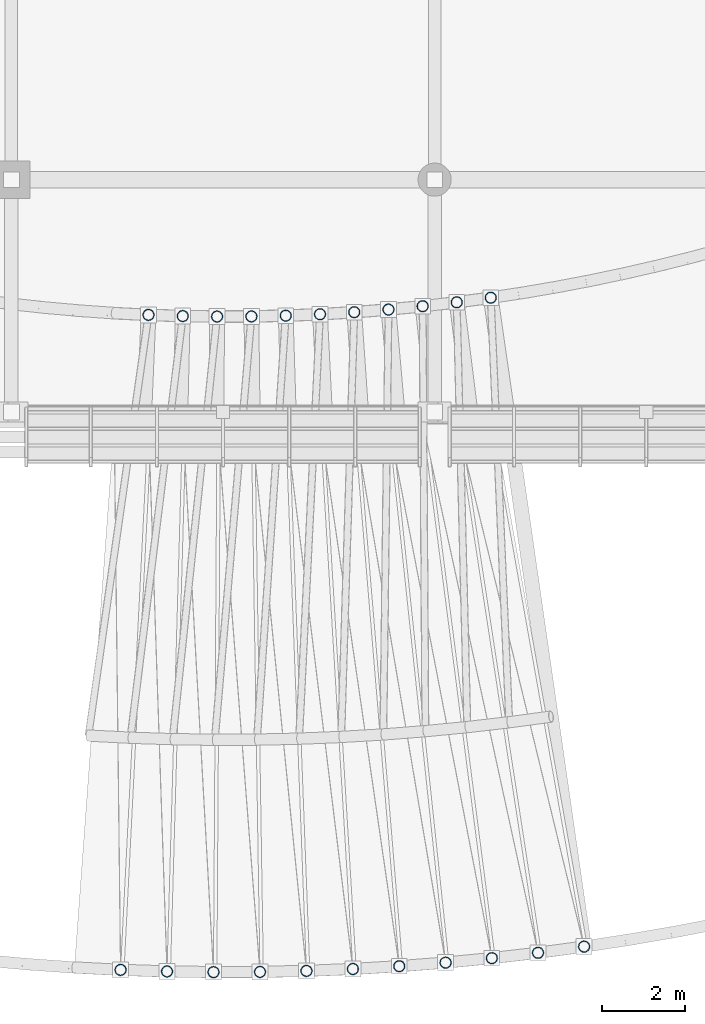
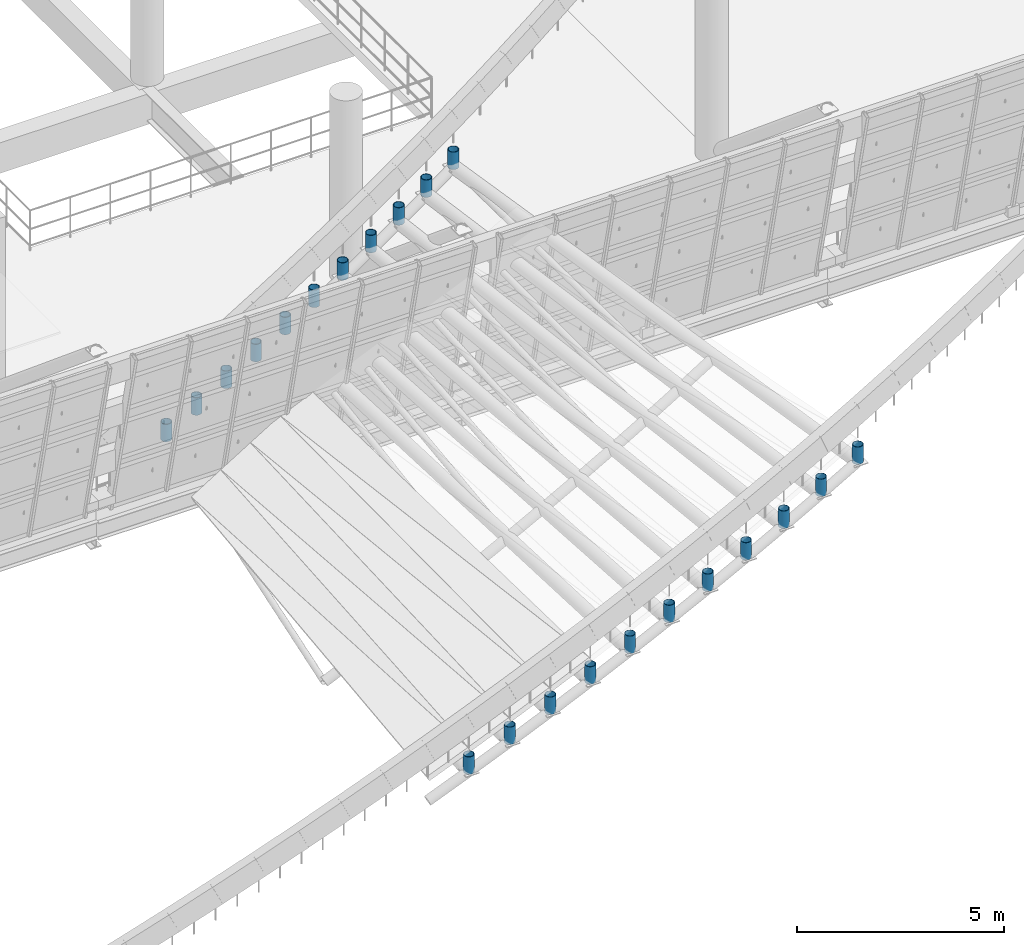
# One storey, part 101 of 175: 22 members.
"""IFC4 building model written with IfcOpenShell, lengths in metres."""

from ifc_helpers import new_model, si_unit, direction, frame, origin, origin_2d, place, context, subcontext, project, spatial, hollow_circle, extrude, material, material_profile, profile_set, type_object, element, save


model = new_model("IFC4")

# Units and contexts
model_context = context("Model", 3, precision=1e-05, world=origin(), true_north=direction((0.0, 1.0)))
body_context = subcontext(model_context, "Body", "Model", "MODEL_VIEW")
ifc_project = project(units=[si_unit("LENGTHUNIT", "METRE"), si_unit("AREAUNIT", "SQUARE_METRE"), si_unit("VOLUMEUNIT", "CUBIC_METRE"), si_unit("PLANEANGLEUNIT", "RADIAN"), si_unit("MASSUNIT", "GRAM", prefix="KILO")], contexts=[model_context])

# Site, building, storey
site_placement = place(None, origin())
site = spatial("IfcSite", under=ifc_project, at=site_placement, CompositionType="ELEMENT")
building_placement = place(site_placement, origin())
building = spatial("IfcBuilding", under=site, at=building_placement, Name="Brelvane Convention Centre", CompositionType="ELEMENT")
storey_placement = place(building_placement, frame((0.0, 0.0, 5.39990234375)))
storey = spatial("IfcBuildingStorey", under=building, at=storey_placement, Name="L01", CompositionType="ELEMENT", Elevation=5.39990234375)

# Members
ifc_material = material(Name="Steel E350 (350 MPa)", Category="steel")
ifc_material_profile = material_profile(ifc_material, hollow_circle(Radius=0.136474609375, WallThickness=0.012451171875, at=origin_2d()), Name="CHS 273.0x12.5")
ifc_profile_set = profile_set([ifc_material_profile], Name="Steel E350 (350 MPa)")
member_type = type_object("IfcMemberType", Name="Steel Strut SF-VT1 (CHS 273.0x12.5)", PredefinedType="STRUT", material=ifc_profile_set)
for number, where, z_axis, x_axis, name in (
    (1, (154.3515625, 16.3544921875, 4.439697265625), (0.0, 0.0, 1.0), (1.0, 0.0, 0.0), "Boulevard Canopy Deck Stand-off Post 13-IN"),
    (2, (156.601806640625, 0.715576171875, 4.439697265625), (0.0, 0.0, 1.0), (1.0, 0.0, 0.0), "Boulevard Canopy Deck Stand-off Post 13-OUT"),
    (3, (153.531982421875, 16.244384765625, 3.97119140625), (0.0, 0.0, 1.0), (1.0, 0.0, 0.0), "Boulevard Canopy Deck Stand-off Post 14-IN"),
    (4, (155.49169921875, 0.56640625, 3.97119140625), (0.0, 0.0, 1.0), (1.0, 0.0, 0.0), "Boulevard Canopy Deck Stand-off Post 14-OUT"),
    (5, (152.71044921875, 16.1494140625, 3.498291015625), (0.0, 0.0, 1.0), (1.0, 0.0, 0.0), "Boulevard Canopy Deck Stand-off Post 15-IN"),
    (6, (154.37890625, 0.437744140625, 3.498291015625), (0.0, 0.0, 1.0), (1.0, 0.0, 0.0), "Boulevard Canopy Deck Stand-off Post 15-OUT"),
    (7, (151.88720703125, 16.069580078125, 3.020751953125), (0.0, 0.0, 1.0), (1.0, 0.0, 0.0), "Boulevard Canopy Deck Stand-off Post 16-IN"),
    (8, (153.26416015625, 0.329833984375, 3.020751953125), (0.0, 0.0, 1.0), (1.0, 0.0, 0.0), "Boulevard Canopy Deck Stand-off Post 16-OUT"),
    (9, (151.0625, 16.00537109375, 2.538818359375), (0.0, 0.0, 1.0), (1.0, 0.0, 0.0), "Boulevard Canopy Deck Stand-off Post 17-IN"),
    (10, (152.147705078125, 0.24267578125, 2.538818359375), (0.0, 0.0, 1.0), (1.0, 0.0, 0.0), "Boulevard Canopy Deck Stand-off Post 17-OUT"),
    (11, (150.237060546875, 15.9560546875, 2.052490234375), (0.0, 0.0, 1.0), (1.0, 0.0, 0.0), "Boulevard Canopy Deck Stand-off Post 18-IN"),
    (12, (151.029541015625, 0.176025390625, 2.052490234375), (0.0, 0.0, 1.0), (1.0, 0.0, 0.0), "Boulevard Canopy Deck Stand-off Post 18-OUT"),
):
    element("IfcMember", number, at=place(storey_placement, frame(where, z_axis=z_axis, x_axis=x_axis)), inside=storey, type_object=member_type, Name=name, PredefinedType="STRUT", context=body_context, shape_type="SweptSolid", body=[
        extrude(hollow_circle(Radius=0.136474609375, WallThickness=0.012451171875, at=origin_2d()), origin(), (0.0, 0.0, 1.0), 0.514892578125),
    ])
for number, where, z_axis, x_axis, name in (
    (13, (149.41064453125, 15.92236328125, 1.561279296875), (0.0, 0.0, 1.0), (1.0, 0.0, 0.0), "Boulevard Canopy Deck Stand-off Post 19-IN"),
    (14, (149.910400390625, 0.130126953125, 1.561279296875), (0.0, 0.0, 1.0), (1.0, 0.0, 0.0), "Boulevard Canopy Deck Stand-off Post 19-OUT"),
    (15, (148.583740234375, 15.90380859375, 1.06591796875), (0.0, 0.0, 1.0), (1.0, 0.0, 0.0), "Boulevard Canopy Deck Stand-off Post 20-IN"),
    (16, (148.79052734375, 0.105224609375, 1.06591796875), (0.0, 0.0, 1.0), (1.0, 0.0, 0.0), "Boulevard Canopy Deck Stand-off Post 20-OUT"),
):
    element("IfcMember", number, at=place(storey_placement, frame(where, z_axis=z_axis, x_axis=x_axis)), inside=storey, type_object=member_type, Name=name, PredefinedType="STRUT", context=body_context, shape_type="SweptSolid", body=[
        extrude(hollow_circle(Radius=0.136474609375, WallThickness=0.012451171875, at=origin_2d()), origin(), (0.0, 0.0, 1.0), 0.51513671875),
    ])
for number, where, z_axis, x_axis, name in (
    (17, (147.756591796875, 15.900634765625, 0.566162109375), (0.0, 0.0, 1.0), (1.0, 0.0, 0.0), "Boulevard Canopy Deck Stand-off Post 21-IN"),
    (18, (147.670654296875, 0.100830078125, 0.566162109375), (0.0, 0.0, 1.0), (1.0, 0.0, 0.0), "Boulevard Canopy Deck Stand-off Post 21-OUT"),
    (19, (146.9296875, 15.912841796875, 0.061767578125), (0.0, 0.0, 1.0), (1.0, 0.0, 0.0), "Boulevard Canopy Deck Stand-off Post 22-IN"),
    (20, (146.550537109375, 0.117431640625, 0.061767578125), (0.0, 0.0, 1.0), (1.0, 0.0, 0.0), "Boulevard Canopy Deck Stand-off Post 22-OUT"),
    (21, (146.103271484375, 15.9404296875, -0.447265625), (0.0, 0.0, 1.0), (1.0, 0.0, 0.0), "Boulevard Canopy Deck Stand-off Post 23-IN"),
    (22, (145.43115234375, 0.154541015625, -0.447265625), (0.0, 0.0, 1.0), (1.0, 0.0, 0.0), "Boulevard Canopy Deck Stand-off Post 23-OUT"),
):
    element("IfcMember", number, at=place(storey_placement, frame(where, z_axis=z_axis, x_axis=x_axis)), inside=storey, type_object=member_type, Name=name, PredefinedType="STRUT", context=body_context, shape_type="SweptSolid", body=[
        extrude(hollow_circle(Radius=0.136474609375, WallThickness=0.012451171875, at=origin_2d()), origin(), (0.0, 0.0, 1.0), 0.514892578125),
    ])

save(model, "model.ifc")
